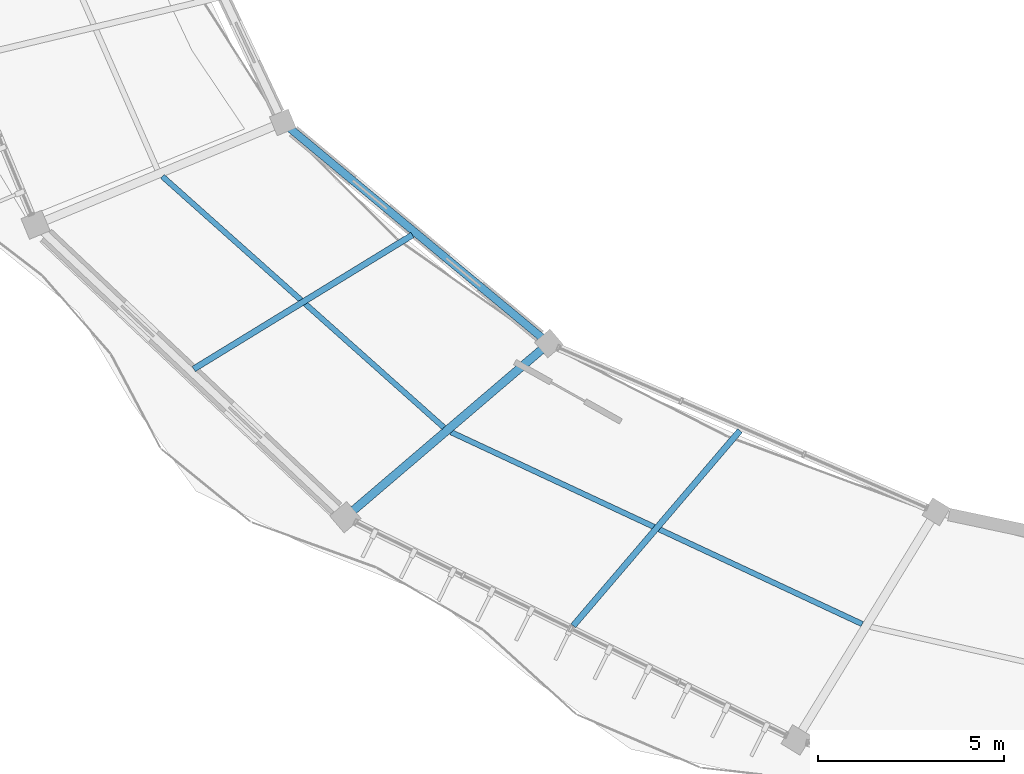
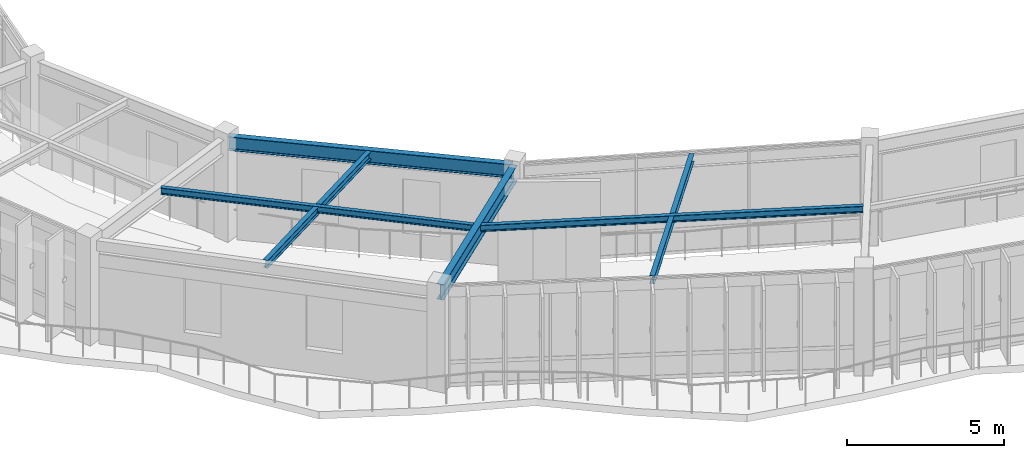
# One storey, part 15 of 83: 6 beams.
"""IFC4 building model written with IfcOpenShell, lengths in metres."""

from ifc_helpers import new_model, si_unit, direction, frame, origin, origin_2d, place, context, subcontext, project, spatial, i_section, extrude, material, material_profile, profile_set, type_object, element, save


model = new_model("IFC4")

# Units and contexts
model_context = context("Model", 3, precision=1e-05, world=origin(), true_north=direction((0.0, 1.0)))
body_context = subcontext(model_context, "Body", "Model", "MODEL_VIEW")
ifc_project = project(units=[si_unit("LENGTHUNIT", "METRE"), si_unit("AREAUNIT", "SQUARE_METRE"), si_unit("VOLUMEUNIT", "CUBIC_METRE"), si_unit("PLANEANGLEUNIT", "RADIAN"), si_unit("MASSUNIT", "GRAM", prefix="KILO"), si_unit("THERMODYNAMICTEMPERATUREUNIT", "KELVIN"), si_unit("POWERUNIT", "WATT")], contexts=[model_context])

# Site, building, storey
site_placement = place(None, origin())
site = spatial("IfcSite", under=ifc_project, at=site_placement, CompositionType="ELEMENT")
building_placement = place(site_placement, origin())
building = spatial("IfcBuilding", under=site, at=building_placement, Name="Darbajah Civic Hall", CompositionType="ELEMENT")
storey_placement = place(building_placement, frame((0.0, 0.0, 18.0)))
storey = spatial("IfcBuildingStorey", under=building, at=storey_placement, Name="L04", CompositionType="ELEMENT", Elevation=18.0)

# Beams
ifc_material = material(Name="Steel S355JR", Category="steel")
ifc_material_profile_1 = material_profile(ifc_material, i_section(OverallWidth=0.146484375, OverallDepth=0.256103515625, WebThickness=0.00634765625, FlangeThickness=0.010986328125, FilletRadius=0.007568359375, at=origin_2d()), Name="UB 254x146x37")
ifc_profile_set_1 = profile_set([ifc_material_profile_1], Name="Steel S355JR")
beam_type_1 = type_object("IfcBeamType", Name="UB 254x146x37", PredefinedType="JOIST", material=ifc_profile_set_1)
beam_1_placement = place(storey_placement, frame((45.394775390625, 79.811279296875, 3.7919921875), z_axis=(0.74637325764, -0.665527580405, 0.0), x_axis=(0.665527580405, 0.74637325764, 0.0)))
element("IfcBeam", 1, at=beam_1_placement, inside=storey, type_object=beam_type_1, Name="L04 beam SJ-254", PredefinedType="JOIST", context=body_context, shape_type="SweptSolid", body=[
    extrude(i_section(OverallWidth=0.146484375, OverallDepth=0.256103515625, WebThickness=0.00634765625, FlangeThickness=0.010986328125, FilletRadius=0.007568359375, at=origin_2d()), origin(), (0.0, 0.0, 1.0), 10.149658203125),
])
beam_2_placement = place(storey_placement, frame((53.161865234375, 72.93017578125, 3.7919921875), z_axis=(0.9061795649, -0.422893126164, 0.0), x_axis=(0.422893126164, 0.9061795649, 0.0)))
element("IfcBeam", 2, at=beam_2_placement, inside=storey, type_object=beam_type_1, Name="L04 beam SJ-254", PredefinedType="JOIST", context=body_context, shape_type="SweptSolid", body=[
    extrude(i_section(OverallWidth=0.146484375, OverallDepth=0.256103515625, WebThickness=0.00634765625, FlangeThickness=0.010986328125, FilletRadius=0.007568359375, at=origin_2d()), origin(), (0.0, 0.0, 1.0), 12.21240234375),
])
ifc_material_profile_2 = material_profile(ifc_material, i_section(OverallWidth=0.165771484375, OverallDepth=0.306640625, WebThickness=0.006591796875, FlangeThickness=0.01171875, FilletRadius=0.0087890625, at=origin_2d()), Name="UB 305x165x46")
ifc_profile_set_2 = profile_set([ifc_material_profile_2], Name="Steel S355JR")
beam_type_2 = type_object("IfcBeamType", Name="UB 305x165x46", PredefinedType="JOIST", material=ifc_profile_set_2)
beam_3_placement = place(storey_placement, frame((52.123779296875, 78.236328125, 3.7666015625), z_axis=(-0.852640388105, -0.522498199588, 0.0), x_axis=(0.522498199588, -0.852640388105, 0.0)))
element("IfcBeam", 3, at=beam_3_placement, inside=storey, type_object=beam_type_2, Name="L04 beam SJ-305", PredefinedType="JOIST", context=body_context, shape_type="SweptSolid", body=[
    extrude(i_section(OverallWidth=0.165771484375, OverallDepth=0.306640625, WebThickness=0.006591796875, FlangeThickness=0.01171875, FilletRadius=0.0087890625, at=origin_2d()), origin(), (0.0, 0.0, 1.0), 6.9033203125),
])
beam_4_placement = place(storey_placement, frame((60.935546875, 72.97119140625, 3.7666015625), z_axis=(-0.649438991654, -0.760413700639, 0.0), x_axis=(0.760413700639, -0.649438991654, 0.0)))
element("IfcBeam", 4, at=beam_4_placement, inside=storey, type_object=beam_type_2, Name="L04 beam SJ-305", PredefinedType="JOIST", context=body_context, shape_type="SweptSolid", body=[
    extrude(i_section(OverallWidth=0.165771484375, OverallDepth=0.306640625, WebThickness=0.006591796875, FlangeThickness=0.01171875, FilletRadius=0.0087890625, at=origin_2d()), origin(), (0.0, 0.0, 1.0), 6.903564453125),
])
ifc_material_profile_3 = material_profile(ifc_material, i_section(OverallWidth=0.209228515625, OverallDepth=0.533203125, WebThickness=0.010009765625, FlangeThickness=0.015625, FilletRadius=0.0126953125, at=origin_2d()), Name="UB 533x210x92")
ifc_profile_set_3 = profile_set([ifc_material_profile_3], Name="Steel S355JR")
beam_type_3 = type_object("IfcBeamType", Name="UB 533x210x92", PredefinedType="BEAM", material=ifc_profile_set_3)
beam_5_placement = place(storey_placement, frame((48.695556640625, 81.215087890625, 3.653564453125), z_axis=(0.769165350471, -0.63904981311, 0.0), x_axis=(0.63904981311, 0.769165350471, 0.0)))
element("IfcBeam", 5, at=beam_5_placement, inside=storey, type_object=beam_type_3, Name="L04 beam SB-533", PredefinedType="BEAM", context=body_context, shape_type="SweptSolid", body=[
    extrude(i_section(OverallWidth=0.209228515625, OverallDepth=0.533203125, WebThickness=0.010009765625, FlangeThickness=0.015625, FilletRadius=0.0126953125, at=origin_2d()), origin(), (0.0, 0.0, 1.0), 9.14892578125),
])
ifc_material_profile_4 = material_profile(ifc_material, i_section(OverallWidth=0.228271484375, OverallDepth=0.607666015625, WebThickness=0.010986328125, FlangeThickness=0.017333984375, FilletRadius=0.0126953125, at=origin_2d()), Name="UB 610x229x113")
ifc_profile_set_4 = profile_set([ifc_material_profile_4], Name="Steel S355JR")
beam_type_4 = type_object("IfcBeamType", Name="UB 610x229x113", PredefinedType="BEAM", material=ifc_profile_set_4)
beam_6_placement = place(storey_placement, frame((55.7333984375, 75.265380859375, 3.6162109375), z_axis=(-0.760413281686, -0.649439482197, 0.0), x_axis=(0.649439482197, -0.760413281686, 0.0)))
element("IfcBeam", 6, at=beam_6_placement, inside=storey, type_object=beam_type_4, Name="L04 beam SB-610", PredefinedType="BEAM", context=body_context, shape_type="SweptSolid", body=[
    extrude(i_section(OverallWidth=0.228271484375, OverallDepth=0.607666015625, WebThickness=0.010986328125, FlangeThickness=0.017333984375, FilletRadius=0.0126953125, at=origin_2d()), origin(), (0.0, 0.0, 1.0), 7.0400390625),
])

save(model, "model.ifc")
